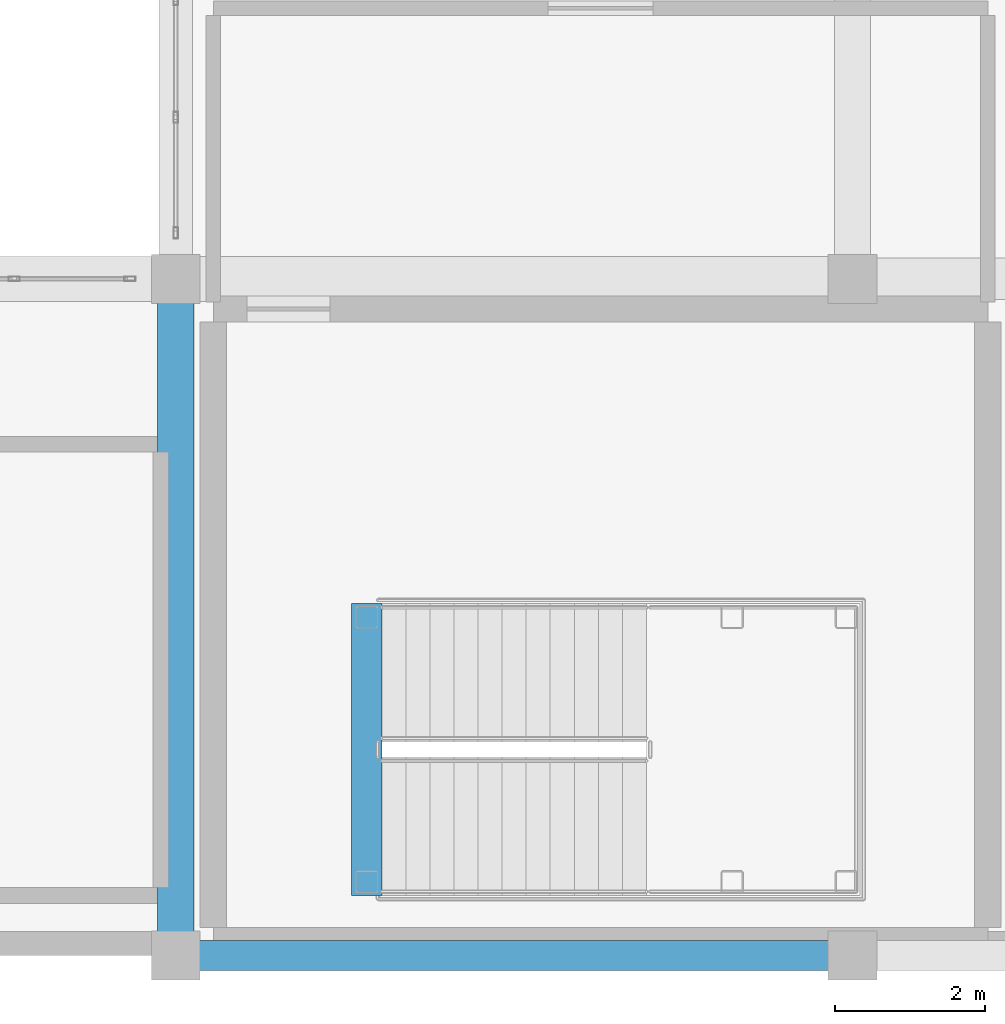
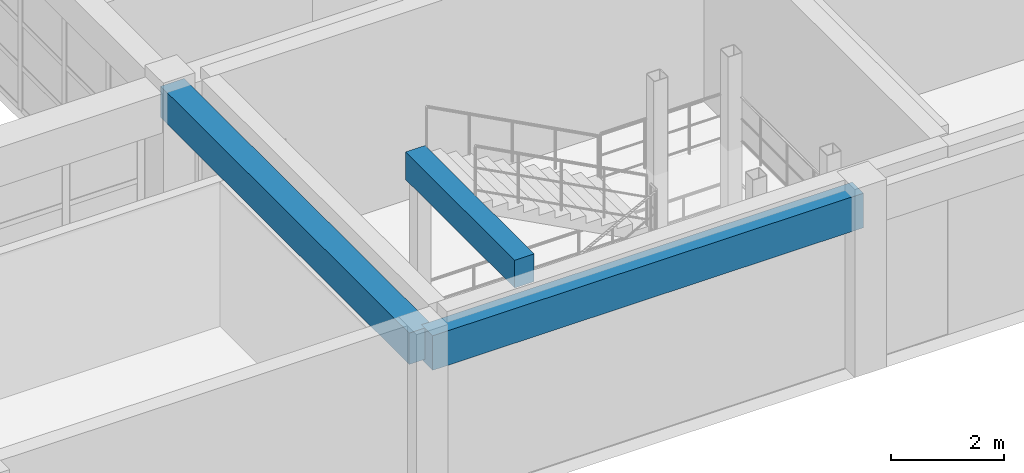
# One storey, part 24 of 130: 3 beams.
"""IFC4 building model written with IfcOpenShell, lengths in metres."""

import ifcopenshell
import ifcopenshell.guid

model = None  # the IFC model being written
_history = None  # IfcOwnerHistory: only IFC2X3 demands one
_inside = {}  # id of a spatial element -> (the spatial element, [elements in it])
_under = {}  # id of a project, library or spatial element -> (it, [spatial elements below it])
_declared = {}  # id of a project -> (the project, [libraries it declares])
_typed = {}  # id of a type object -> (the type object, [elements of that type])
_made_of = {}  # id of a material, layer set ... -> (it, [elements and type objects made of it])


def new_model(schema):
    """Start an empty IFC model of exactly this schema.

    Asked for "IFC4X3", IfcOpenShell would pick the latest addendum, in which some entities
    have other attributes; the version numbers below select the first issue.
    IFC2X3 requires an IfcOwnerHistory on every rooted entity: one is made here for all.
    """
    global model, _history
    if schema == "IFC4X3":
        model = ifcopenshell.file(schema_version=(4, 3, 0, 0))
    else:
        model = ifcopenshell.file(schema=schema)
    _inside.clear()
    _under.clear()
    _declared.clear()
    _typed.clear()
    _made_of.clear()
    _history = None
    if model.schema == "IFC2X3":
        org = make("IfcOrganization", Name="unknown")
        user = make(
            "IfcPersonAndOrganization",
            ThePerson=make("IfcPerson", FamilyName="unknown"),
            TheOrganization=org,
        )
        app = make(
            "IfcApplication",
            ApplicationDeveloper=org,
            Version="unknown",
            ApplicationFullName="unknown",
            ApplicationIdentifier="unknown",
        )
        _history = make(
            "IfcOwnerHistory",
            OwningUser=user,
            OwningApplication=app,
            ChangeAction="ADDED",
            CreationDate=0,
        )
    return model


def make(cls, **values):
    """One entity of the class cls with the attributes given. An attribute that is None is left unset."""
    return model.create_entity(
        cls, **{name: value for name, value in values.items() if value is not None}
    )


def rooted(cls, **values):
    """An entity with a GlobalId (a new one), such as an element, a storey or a relation."""
    return make(cls, GlobalId=ifcopenshell.guid.new(), OwnerHistory=_history, **values)


def si_unit(unit_type, name, prefix=None):
    """IfcSIUnit, for example si_unit("LENGTHUNIT", "METRE", prefix="MILLI")."""
    return make("IfcSIUnit", UnitType=unit_type, Prefix=prefix, Name=name)


def assignment(units):
    """IfcUnitAssignment: the units of a project."""
    return None if units is None else make("IfcUnitAssignment", Units=units)


def point(xyz):
    """IfcCartesianPoint."""
    return None if xyz is None else make("IfcCartesianPoint", Coordinates=xyz)


def direction(xyz):
    """IfcDirection."""
    return None if xyz is None else make("IfcDirection", DirectionRatios=xyz)


def frame(location, z_axis=None, x_axis=None):
    """IfcAxis2Placement3D, a coordinate frame: its origin and axes. An axis left out is left unset."""
    return make(
        "IfcAxis2Placement3D",
        Location=point(location),
        Axis=direction(z_axis),
        RefDirection=direction(x_axis),
    )


def frame_2d(location, x_axis=None):
    """IfcAxis2Placement2D, a coordinate frame in the plane: its origin and x axis."""
    return make(
        "IfcAxis2Placement2D", Location=point(location), RefDirection=direction(x_axis)
    )


def origin():
    """The frame at (0, 0, 0) with its axes left unset."""
    return frame((0.0, 0.0, 0.0))


def origin_2d():
    """The frame at (0, 0) in the plane with its x axis left unset."""
    return frame_2d((0.0, 0.0))


def place(relative_to, where):
    """IfcLocalPlacement: puts the frame where relative to a parent placement (None: the world)."""
    return make(
        "IfcLocalPlacement", PlacementRelTo=relative_to, RelativePlacement=where
    )


def context(
    kind, dimensions, precision=None, world=None, true_north=None, identifier=None
):
    """IfcGeometricRepresentationContext, for example the 3D "Model" context."""
    return make(
        "IfcGeometricRepresentationContext",
        ContextIdentifier=identifier,
        ContextType=kind,
        CoordinateSpaceDimension=dimensions,
        Precision=precision,
        WorldCoordinateSystem=world,
        TrueNorth=true_north,
    )


def subcontext(parent, identifier, kind, view, scale=None):
    """IfcGeometricRepresentationSubContext, for example "Body" below "Model"."""
    return make(
        "IfcGeometricRepresentationSubContext",
        ContextIdentifier=identifier,
        ContextType=kind,
        ParentContext=parent,
        TargetScale=scale,
        TargetView=view,
    )


def project(units=None, contexts=None):
    """IfcProject with its units and contexts."""
    return rooted(
        "IfcProject",
        Name="project",
        RepresentationContexts=contexts,
        UnitsInContext=assignment(units),
    )


def spatial(cls, under=None, at=None, **own):
    """A site, building, storey or space (cls), placed at a placement, below another one or the project."""
    s = rooted(cls, ObjectPlacement=at, **own)
    if under is not None:
        _under.setdefault(under.id(), (under, []))[1].append(s)
    return s


def profile(cls, at=None, kind="AREA", **sizes):
    """A parametric profile (cls). Its sizes go by their IFC names, for example OverallWidth=200.0."""
    return make(cls, ProfileType=kind, Position=at, **sizes)


def rectangle(**sizes):
    """IfcRectangleProfileDef."""
    return profile("IfcRectangleProfileDef", **sizes)


def extrude(swept, where, along, depth):
    """IfcExtrudedAreaSolid: the profile swept, set in the frame where, extruded along a direction by depth."""
    return make(
        "IfcExtrudedAreaSolid",
        SweptArea=swept,
        Position=where,
        ExtrudedDirection=direction(along),
        Depth=depth,
    )


def shape(context_of_items, identifier, shape_type, items):
    """IfcShapeRepresentation: the items that make up one representation, for example the "Body"."""
    return make(
        "IfcShapeRepresentation",
        ContextOfItems=context_of_items,
        RepresentationIdentifier=identifier,
        RepresentationType=shape_type,
        Items=items,
    )


def material(Name=None, Category=None):
    """IfcMaterial."""
    return make("IfcMaterial", Name=Name, Category=Category)


def material_profile(
    of_material, cross_section, Name=None, Category=None, Priority=None
):
    """IfcMaterialProfile: a cross section and its material."""
    return make(
        "IfcMaterialProfile",
        Name=Name,
        Material=of_material,
        Profile=cross_section,
        Priority=Priority,
        Category=Category,
    )


def profile_set(profiles, Name=None, composite=None):
    """IfcMaterialProfileSet."""
    return make(
        "IfcMaterialProfileSet",
        Name=Name,
        MaterialProfiles=profiles,
        CompositeProfile=composite,
    )


def made_of(thing, what):
    """Note that an element or type object is made of a material, layer set ...; save() writes the relation."""
    if what is not None:
        _made_of.setdefault(what.id(), (what, []))[1].append(thing)
    return thing


def type_object(cls, material=None, **own):
    """A type object (cls), such as IfcWallType, which elements share."""
    return made_of(rooted(cls, **own), material)


def element(
    cls,
    number,
    at=None,
    inside=None,
    cuts=None,
    type_object=None,
    material=None,
    context=None,
    identifier="Body",
    shape_type=None,
    held_by="IfcProductDefinitionShape",
    body=None,
    shapes=None,
    **own,
):
    """One element of the class cls, such as IfcWall. Its Tag is "e" and its number.

    at: its placement. inside: the storey or other place that contains it. cuts: it is an
    opening in that element (IfcRelVoidsElement). A single representation is given by context,
    identifier, shape_type and body (its items); several are given by shapes. held_by: the class
    of the entity that holds the representations. save() writes the other relations.
    """
    e = rooted(cls, Tag="e%d" % number, ObjectPlacement=at, **own)
    if body is not None:
        shapes = [shape(context, identifier, shape_type, body)]
    if shapes is not None:
        e.Representation = make(held_by, Representations=shapes)
    if inside is not None:
        _inside.setdefault(inside.id(), (inside, []))[1].append(e)
    if cuts is not None:
        rooted(
            "IfcRelVoidsElement", RelatingBuildingElement=cuts, RelatedOpeningElement=e
        )
    if type_object is not None:
        _typed.setdefault(type_object.id(), (type_object, []))[1].append(e)
    return made_of(e, material)


def aggregate(whole, parts):
    """IfcRelAggregates: a whole, such as a stair, and the parts it consists of."""
    return rooted("IfcRelAggregates", RelatingObject=whole, RelatedObjects=parts)


def save(model, path):
    """Write the relations noted so far, then the file.

    IfcRelAggregates (storeys below a building ...), IfcRelContainedInSpatialStructure (elements
    in a storey), IfcRelDefinesByType, IfcRelAssociatesMaterial and IfcRelDeclares: one each for
    every whole, place, type object, material and project.
    """
    for whole, parts in _under.values():
        aggregate(whole, parts)
    for where, things in _inside.values():
        rooted(
            "IfcRelContainedInSpatialStructure",
            RelatedElements=things,
            RelatingStructure=where,
        )
    for kind, things in _typed.values():
        rooted("IfcRelDefinesByType", RelatedObjects=things, RelatingType=kind)
    for what, things in _made_of.values():
        rooted("IfcRelAssociatesMaterial", RelatedObjects=things, RelatingMaterial=what)
    for by, libraries in _declared.values():
        rooted("IfcRelDeclares", RelatingContext=by, RelatedDefinitions=libraries)
    model.write(path)


model = new_model("IFC4")

# Units and contexts
model_context = context("Model", 3, precision=1e-05, world=origin(), true_north=direction((0.0, 1.0)))
body_context = subcontext(model_context, "Body", "Model", "MODEL_VIEW")
ifc_project = project(units=[si_unit("LENGTHUNIT", "METRE"), si_unit("AREAUNIT", "SQUARE_METRE"), si_unit("VOLUMEUNIT", "CUBIC_METRE"), si_unit("PLANEANGLEUNIT", "RADIAN"), si_unit("MASSUNIT", "GRAM", prefix="KILO")], contexts=[model_context])

# Site, building, storey
site_placement = place(None, origin())
site = spatial("IfcSite", under=ifc_project, at=site_placement, CompositionType="ELEMENT")
building_placement = place(site_placement, origin())
building = spatial("IfcBuilding", under=site, at=building_placement, Name="Miravela Opera House", CompositionType="ELEMENT")
storey_placement = place(building_placement, frame((0.0, 0.0, 9.52001953125)))
storey = spatial("IfcBuildingStorey", under=building, at=storey_placement, Name="L02", CompositionType="ELEMENT", Elevation=9.52001953125)

# Beams
ifc_material = material(Name="Concrete C35/45", Category="concrete")
ifc_material_profile_1 = material_profile(ifc_material, rectangle(XDim=0.39990234375, YDim=0.60009765625, at=origin_2d()), Name="RC-BM-400X600")
ifc_profile_set_1 = profile_set([ifc_material_profile_1])
beam_type_1 = type_object("IfcBeamType", Name="STR-BM-RC400X600", PredefinedType="JOIST", material=ifc_profile_set_1)
beam_1_placement = place(storey_placement, frame((65.5400390625, 0.800048828125, 3.780029296875), z_axis=(0.0, 1.0, 0.0), x_axis=(-1.0, 0.0, 0.0)))
element("IfcBeam", 1, at=beam_1_placement, inside=storey, type_object=beam_type_1, Name="Stair K6 Opening Header Trimmer Beam 03", PredefinedType="JOIST", context=body_context, shape_type="SweptSolid", body=[
    extrude(rectangle(XDim=0.39990234375, YDim=0.60009765625, at=origin_2d()), origin(), (0.0, 0.0, 1.0), 3.8798828125),
])
ifc_material_profile_2 = material_profile(ifc_material, rectangle(XDim=0.47998046875, YDim=0.679931640625, at=origin_2d()), Name="RC-BM-480X680")
ifc_profile_set_2 = profile_set([ifc_material_profile_2])
beam_type_2 = type_object("IfcBeamType", Name="STR-BM-RC480X680", PredefinedType="BEAM", material=ifc_profile_set_2)
beam_2_placement = place(storey_placement, frame((63.0, 0.080078125, 3.5), z_axis=(0.0, 1.0, 0.0), x_axis=(-1.0, 0.0, 0.0)))
element("IfcBeam", 2, at=beam_2_placement, inside=storey, type_object=beam_type_2, Name="Floor Girder L02 8/A-B", PredefinedType="BEAM", context=body_context, shape_type="SweptSolid", body=[
    extrude(rectangle(XDim=0.47998046875, YDim=0.679931640625, at=origin_2d()), origin(), (0.0, 0.0, 1.0), 8.83984375),
])
ifc_material_profile_3 = material_profile(ifc_material, rectangle(XDim=0.39990234375, YDim=0.75, at=origin_2d()), Name="RC-SPN-400X750")
ifc_profile_set_3 = profile_set([ifc_material_profile_3])
beam_type_3 = type_object("IfcBeamType", Name="STR-SPN-RC400X750", PredefinedType="SPANDREL", material=ifc_profile_set_3)
beam_3_placement = place(storey_placement, frame((63.080078125, 0.0, 3.465087890625), z_axis=(1.0, 0.0, 0.0), x_axis=(0.0, 1.0, 0.0)))
element("IfcBeam", 3, at=beam_3_placement, inside=storey, type_object=beam_type_3, Name="Floor Girder L02 8-9/A", PredefinedType="SPANDREL", context=body_context, shape_type="SweptSolid", body=[
    extrude(rectangle(XDim=0.39990234375, YDim=0.75, at=origin_2d()), origin(), (0.0, 0.0, 1.0), 8.83984375),
])

save(model, "model.ifc")
